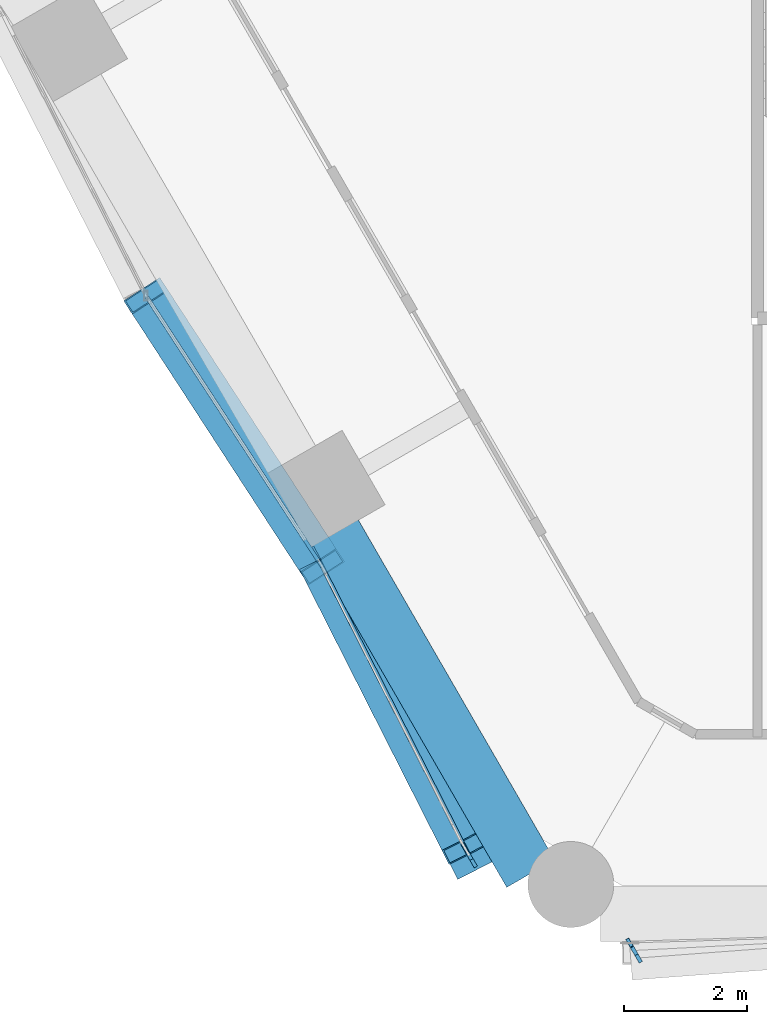
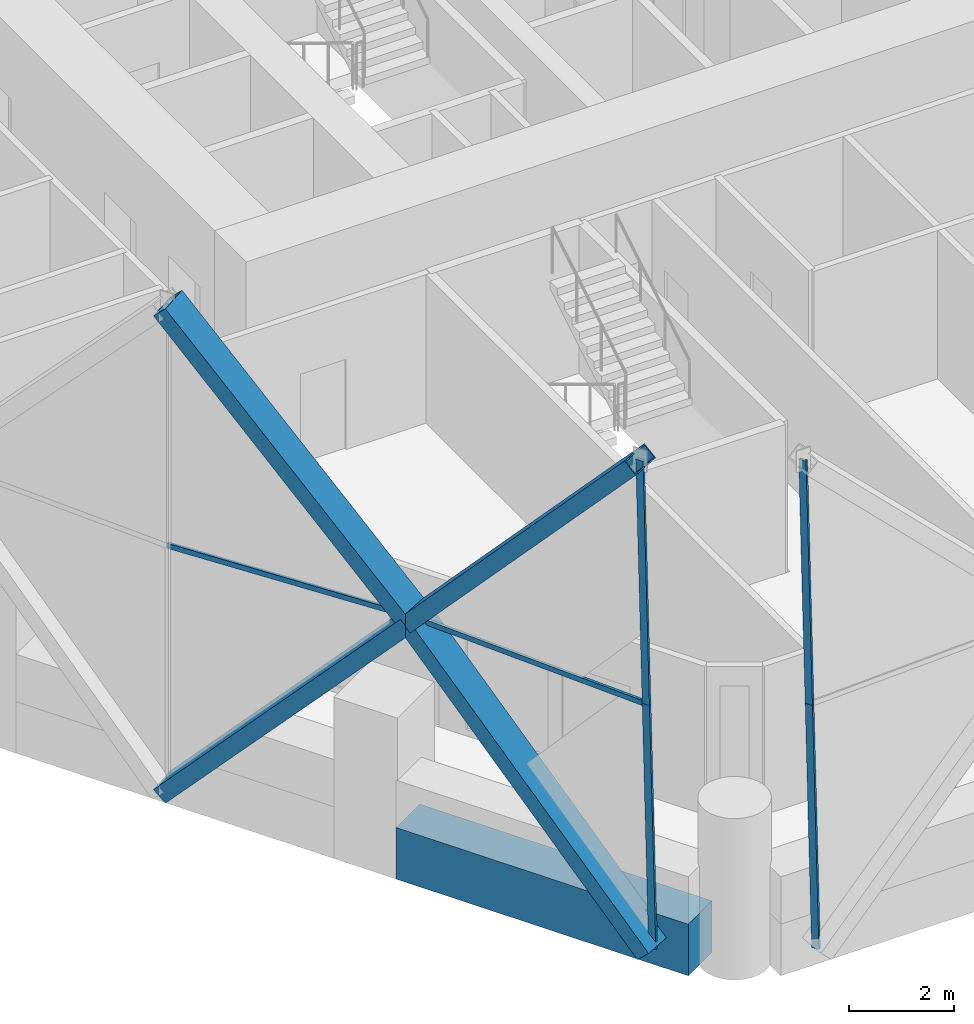
# One storey, part 2 of 22: 10 members, 1 beam, 3 elements without a shape of their own.
"""IFC4 building model written with IfcOpenShell, lengths in metres."""

from ifc_helpers import new_model, si_unit, direction, frame, origin, origin_2d, place, context, subcontext, project, spatial, rectangle, hollow_rectangle, extrude, material, material_profile, profile_set, type_object, element, aggregate, save


model = new_model("IFC4")

# Units and contexts
model_context = context("Model", 3, precision=1e-05, world=origin(), true_north=direction((0.0, 1.0)))
body_context = subcontext(model_context, "Body", "Model", "MODEL_VIEW")
ifc_project = project(units=[si_unit("LENGTHUNIT", "METRE"), si_unit("AREAUNIT", "SQUARE_METRE"), si_unit("VOLUMEUNIT", "CUBIC_METRE"), si_unit("PLANEANGLEUNIT", "RADIAN"), si_unit("MASSUNIT", "GRAM", prefix="KILO")], contexts=[model_context])

# Site, building, storey
site_placement = place(None, origin())
site = spatial("IfcSite", under=ifc_project, at=site_placement, CompositionType="ELEMENT")
building_placement = place(site_placement, origin())
building = spatial("IfcBuilding", under=site, at=building_placement, Name="Ostrander Bayou Hotel Tower", CompositionType="ELEMENT")
storey_placement = place(building_placement, frame((0.0, 0.0, 46.75)))
storey = spatial("IfcBuildingStorey", under=building, at=storey_placement, Name="L11", CompositionType="ELEMENT", Elevation=46.75)

# Curtain wall, members
ifc_material_1 = material(Name="Aluminium and clear glass", Category="aluminium")
curtain_wall_type = type_object("IfcCurtainWallType", Name="CW-LAT lattice glazing", PredefinedType="NOTDEFINED", material=ifc_material_1)
curtain_wall_1_placement = place(storey_placement, origin())
curtain_wall_1 = element("IfcCurtainWall", 1, at=curtain_wall_1_placement, inside=storey, type_object=curtain_wall_type, Name="CW-LAT L11 SW 1", PredefinedType="NOTDEFINED")
ifc_material_2 = material(Name="Aluminium", Category="aluminium")
ifc_material_profile_1 = material_profile(ifc_material_2, hollow_rectangle(XDim=0.06005859375, YDim=0.159912109375, WallThickness=0.00390625, at=origin_2d()))
ifc_profile_set_1 = profile_set([ifc_material_profile_1], Name="Aluminium")
member_type_1 = type_object("IfcMemberType", Name="CW-LA mullion 60 x 160 mm", PredefinedType="MULLION", material=ifc_profile_set_1)
member_1_placement = place(storey_placement, frame((-13.779541015625, -20.27294921875, -0.60009765625), z_axis=(-0.012626204898, 0.021781288175, 0.999683026982), x_axis=(-0.865150838603, -0.501511741103, 0.0)))
member_1 = element("IfcMember", 2, at=member_1_placement, type_object=member_type_1, Name="CW-LAT mullion 8", PredefinedType="MULLION", context=body_context, shape_type="SweptSolid", body=[
    extrude(hollow_rectangle(XDim=0.06005859375, YDim=0.159912109375, WallThickness=0.00390625, at=origin_2d()), origin(), (0.0, 0.0, 1.0), 5.626708984375),
])
member_2_placement = place(storey_placement, frame((-13.8505859375, -20.150390625, 5.02490234375), z_axis=(-0.012582810856, 0.021824668484, 0.999682627996), x_axis=(-0.866328918095, -0.499473928922, 0.0)))
member_2 = element("IfcMember", 3, at=member_2_placement, type_object=member_type_1, Name="CW-LAT mullion 9", PredefinedType="MULLION", context=body_context, shape_type="SweptSolid", body=[
    extrude(hollow_rectangle(XDim=0.06005859375, YDim=0.159912109375, WallThickness=0.00390625, at=origin_2d()), origin(), (0.0, 0.0, 1.0), 5.626708984375),
])
aggregate(curtain_wall_1, [member_1, member_2])

curtain_wall_2_placement = place(storey_placement, origin())
curtain_wall_2 = element("IfcCurtainWall", 4, at=curtain_wall_2_placement, inside=storey, type_object=curtain_wall_type, Name="CW-LAT L11 S 1", PredefinedType="NOTDEFINED")
member_3_placement = place(storey_placement, frame((-11.09228515625, -21.824462890625, -0.60009765625), z_axis=(-0.012582822759, 0.021781300087, 0.999683573706), x_axis=(-0.865898279276, -0.500220121494, 0.0)))
member_3 = element("IfcMember", 5, at=member_3_placement, type_object=member_type_1, Name="CW-LAT mullion 1", PredefinedType="MULLION", context=body_context, shape_type="SweptSolid", body=[
    extrude(hollow_rectangle(XDim=0.06005859375, YDim=0.159912109375, WallThickness=0.00390625, at=origin_2d()), origin(), (0.0, 0.0, 1.0), 5.626708984375),
])
member_4_placement = place(storey_placement, frame((-11.1630859375, -21.701904296875, 5.02490234375), z_axis=(-0.012582810856, 0.021824668484, 0.999682627996), x_axis=(-0.866328918095, -0.499473928922, 0.0)))
member_4 = element("IfcMember", 6, at=member_4_placement, type_object=member_type_1, Name="CW-LAT mullion 2", PredefinedType="MULLION", context=body_context, shape_type="SweptSolid", body=[
    extrude(hollow_rectangle(XDim=0.06005859375, YDim=0.159912109375, WallThickness=0.00390625, at=origin_2d()), origin(), (0.0, 0.0, 1.0), 5.626708984375),
])
aggregate(curtain_wall_2, [member_3, member_4])

curtain_wall_3_placement = place(storey_placement, origin())
curtain_wall_3 = element("IfcCurtainWall", 7, at=curtain_wall_3_placement, inside=storey, type_object=curtain_wall_type, Name="CW-LAT L11 SW 2", PredefinedType="NOTDEFINED")
ifc_material_3 = material(Name="Aluminium", Category="aluminium")
ifc_material_profile_2 = material_profile(ifc_material_3, hollow_rectangle(XDim=0.06005859375, YDim=0.1201171875, WallThickness=0.00390625, at=origin_2d()))
ifc_profile_set_2 = profile_set([ifc_material_profile_2], Name="Aluminium")
member_type_2 = type_object("IfcMemberType", Name="CW-LA transom 60 x 120 mm", PredefinedType="USERDEFINED", material=ifc_profile_set_2)
member_5_placement = place(storey_placement, frame((-19.11328125, -11.034912109375, 5.02490234375), z_axis=(0.545235823452, -0.838282706982, 0.0), x_axis=(0.838282706982, 0.545235823452, 0.0)))
member_5 = element("IfcMember", 8, at=member_5_placement, type_object=member_type_2, Name="CW-LAT transom 7", ObjectType="TRANSOM", PredefinedType="USERDEFINED", context=body_context, shape_type="SweptSolid", body=[
    extrude(hollow_rectangle(XDim=0.06005859375, YDim=0.1201171875, WallThickness=0.00390625, at=origin_2d()), origin(), (0.0, 0.0, 1.0), 5.270263671875),
])
member_6_placement = place(storey_placement, frame((-13.8505859375, -20.150390625, 5.02490234375), z_axis=(-0.453334732303, 0.891340350533, 0.0), x_axis=(-0.891340350533, -0.453334732303, 0.0)))
member_6 = element("IfcMember", 9, at=member_6_placement, type_object=member_type_2, Name="CW-LAT transom 10", ObjectType="TRANSOM", PredefinedType="USERDEFINED", context=body_context, shape_type="SweptSolid", body=[
    extrude(hollow_rectangle(XDim=0.06005859375, YDim=0.1201171875, WallThickness=0.00390625, at=origin_2d()), origin(), (0.0, 0.0, 1.0), 5.637939453125),
])
aggregate(curtain_wall_3, [member_5, member_6])

# Members
ifc_material_4 = material(Name="Steel ASTM A572 Gr 50", Category="steel")
ifc_material_profile_3 = material_profile(ifc_material_4, hollow_rectangle(XDim=0.699951171875, YDim=0.35009765625, WallThickness=0.02490234375, at=origin_2d()))
ifc_profile_set_3 = profile_set([ifc_material_profile_3], Name="Steel ASTM A572 Gr 50")
member_type_3 = type_object("IfcMemberType", Name="LT1 lattice member box 700 x 350 x 25 mm", PredefinedType="BRACE", material=ifc_profile_set_3)
for number, where, z_axis, x_axis, name in (
    (10, (-16.23974609375, -15.452880859375, 5.02490234375), (-0.372789607254, 0.573152143829, -0.729742782594), (-0.838282706982, -0.545235823452, 0.0), "LT1 L11 SW 5"),
    (11, (-16.23974609375, -15.452880859375, 5.02490234375), (-0.372789607254, 0.573152143829, 0.729742782594), (-0.838282706982, -0.545235823452, 0.0), "LT1 L11 SW 6"),
):
    element("IfcMember", number, at=place(storey_placement, frame(where, z_axis=z_axis, x_axis=x_axis)), inside=storey, type_object=member_type_3, Name=name, PredefinedType="BRACE", context=body_context, shape_type="SweptSolid", body=[
        extrude(hollow_rectangle(XDim=0.699951171875, YDim=0.35009765625, WallThickness=0.02490234375, at=origin_2d()), origin(), (0.0, 0.0, 1.0), 7.708251953125),
    ])
member_7_placement = place(storey_placement, frame((-16.23974609375, -15.452880859375, 5.02490234375), z_axis=(0.315187462029, -0.617519704559, -0.72064296171), x_axis=(0.890688059256, 0.454614981164, 0.0)))
element("IfcMember", 12, at=member_7_placement, inside=storey, type_object=member_type_3, Name="LT1 L11 SW 7", PredefinedType="BRACE", context=body_context, shape_type="SweptSolid", body=[
    extrude(hollow_rectangle(XDim=0.699951171875, YDim=0.35009765625, WallThickness=0.02490234375, at=origin_2d()), origin(), (0.0, 0.0, 1.0), 7.805419921875),
])
member_8_placement = place(storey_placement, frame((-16.23974609375, -15.452880859375, 5.02490234375), z_axis=(0.304564248328, -0.600981980326, 0.738959591563), x_axis=(0.891995852617, 0.452043580769, 0.0)))
element("IfcMember", 13, at=member_8_placement, inside=storey, type_object=member_type_3, Name="LT1 L11 SW 8", PredefinedType="BRACE", context=body_context, shape_type="SweptSolid", body=[
    extrude(hollow_rectangle(XDim=0.699951171875, YDim=0.35009765625, WallThickness=0.02490234375, at=origin_2d()), origin(), (0.0, 0.0, 1.0), 7.612060546875),
])

# Beam
ifc_material_5 = material(Name="Concrete f'c 70 MPa", Category="concrete")
ifc_material_profile_4 = material_profile(ifc_material_5, rectangle(XDim=0.89990234375, YDim=1.199951171875, at=origin_2d()))
ifc_profile_set_4 = profile_set([ifc_material_profile_4], Name="Concrete f'c 70 MPa")
beam_type = type_object("IfcBeamType", Name="SP1 spandrel beam 900 x 1200 mm f'c 70 MPa", PredefinedType="SPANDREL", material=ifc_profile_set_4)
beam_placement = place(storey_placement, frame((-16.056884765625, -14.888671875, -0.60009765625), z_axis=(0.500000066162, -0.866025365586, 0.0), x_axis=(0.866025365586, 0.500000066162, 0.0)))
element("IfcBeam", 14, at=beam_placement, inside=storey, type_object=beam_type, Name="SP1 L11 SW-3", PredefinedType="SPANDREL", context=body_context, shape_type="SweptSolid", body=[
    extrude(rectangle(XDim=0.89990234375, YDim=1.199951171875, at=origin_2d()), origin(), (0.0, 0.0, 1.0), 6.419921875),
])

save(model, "model.ifc")
